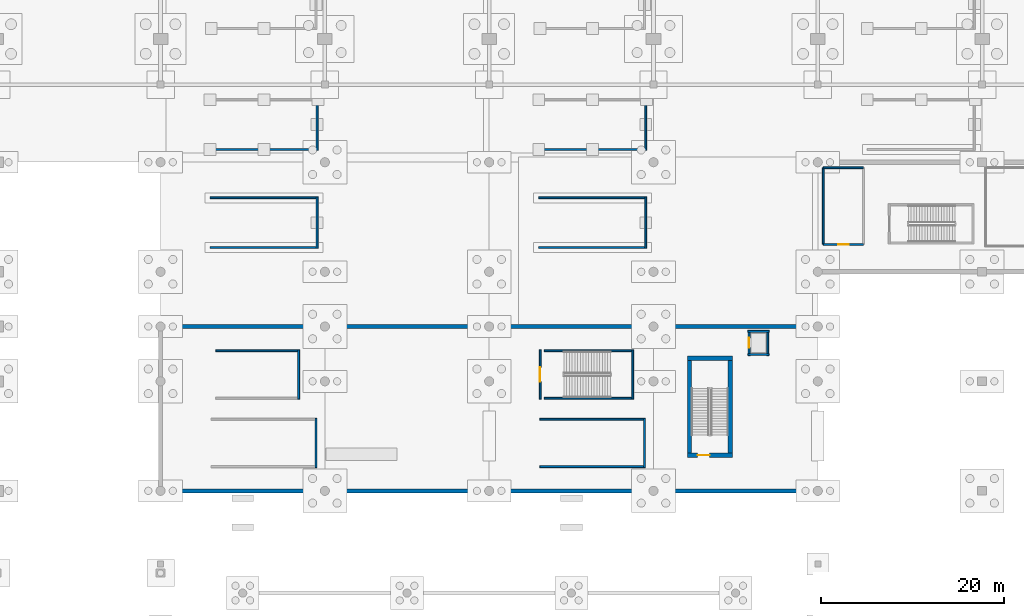
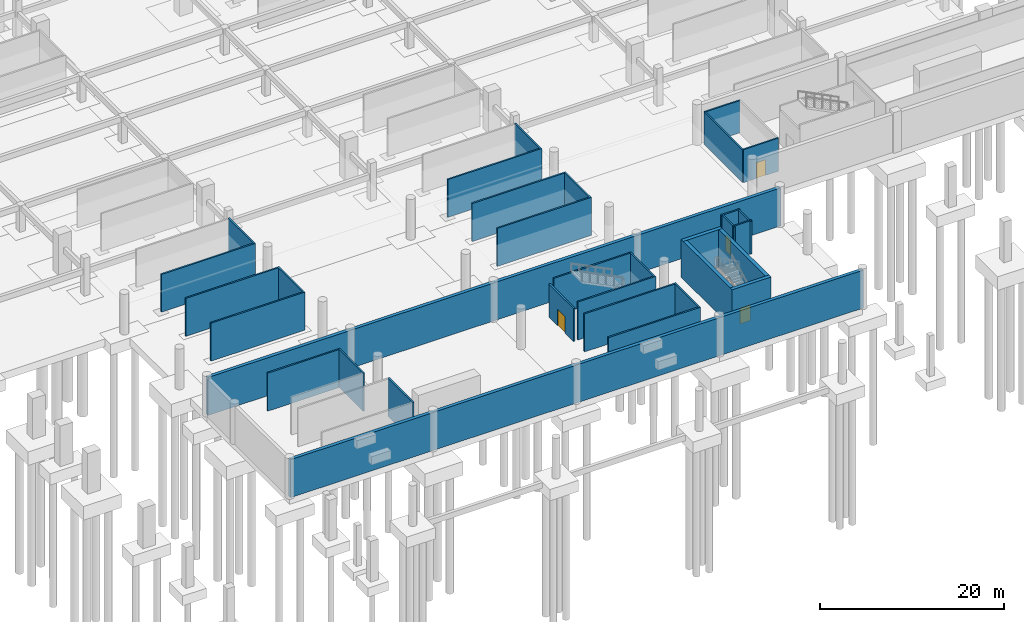
# One storey, part 12 of 26: 33 walls, 4 doors, 4 openings.
"""IFC4 building model written with IfcOpenShell, lengths in metres."""

import ifcopenshell
import ifcopenshell.guid

model = None  # the IFC model being written
_history = None  # IfcOwnerHistory: only IFC2X3 demands one
_inside = {}  # id of a spatial element -> (the spatial element, [elements in it])
_under = {}  # id of a project, library or spatial element -> (it, [spatial elements below it])
_declared = {}  # id of a project -> (the project, [libraries it declares])
_typed = {}  # id of a type object -> (the type object, [elements of that type])
_made_of = {}  # id of a material, layer set ... -> (it, [elements and type objects made of it])


def new_model(schema):
    """Start an empty IFC model of exactly this schema.

    Asked for "IFC4X3", IfcOpenShell would pick the latest addendum, in which some entities
    have other attributes; the version numbers below select the first issue.
    IFC2X3 requires an IfcOwnerHistory on every rooted entity: one is made here for all.
    """
    global model, _history
    if schema == "IFC4X3":
        model = ifcopenshell.file(schema_version=(4, 3, 0, 0))
    else:
        model = ifcopenshell.file(schema=schema)
    _inside.clear()
    _under.clear()
    _declared.clear()
    _typed.clear()
    _made_of.clear()
    _history = None
    if model.schema == "IFC2X3":
        org = make("IfcOrganization", Name="unknown")
        user = make(
            "IfcPersonAndOrganization",
            ThePerson=make("IfcPerson", FamilyName="unknown"),
            TheOrganization=org,
        )
        app = make(
            "IfcApplication",
            ApplicationDeveloper=org,
            Version="unknown",
            ApplicationFullName="unknown",
            ApplicationIdentifier="unknown",
        )
        _history = make(
            "IfcOwnerHistory",
            OwningUser=user,
            OwningApplication=app,
            ChangeAction="ADDED",
            CreationDate=0,
        )
    return model


def make(cls, **values):
    """One entity of the class cls with the attributes given. An attribute that is None is left unset."""
    return model.create_entity(
        cls, **{name: value for name, value in values.items() if value is not None}
    )


def rooted(cls, **values):
    """An entity with a GlobalId (a new one), such as an element, a storey or a relation."""
    return make(cls, GlobalId=ifcopenshell.guid.new(), OwnerHistory=_history, **values)


def si_unit(unit_type, name, prefix=None):
    """IfcSIUnit, for example si_unit("LENGTHUNIT", "METRE", prefix="MILLI")."""
    return make("IfcSIUnit", UnitType=unit_type, Prefix=prefix, Name=name)


def assignment(units):
    """IfcUnitAssignment: the units of a project."""
    return None if units is None else make("IfcUnitAssignment", Units=units)


def point(xyz):
    """IfcCartesianPoint."""
    return None if xyz is None else make("IfcCartesianPoint", Coordinates=xyz)


def direction(xyz):
    """IfcDirection."""
    return None if xyz is None else make("IfcDirection", DirectionRatios=xyz)


def frame(location, z_axis=None, x_axis=None):
    """IfcAxis2Placement3D, a coordinate frame: its origin and axes. An axis left out is left unset."""
    return make(
        "IfcAxis2Placement3D",
        Location=point(location),
        Axis=direction(z_axis),
        RefDirection=direction(x_axis),
    )


def frame_2d(location, x_axis=None):
    """IfcAxis2Placement2D, a coordinate frame in the plane: its origin and x axis."""
    return make(
        "IfcAxis2Placement2D", Location=point(location), RefDirection=direction(x_axis)
    )


def origin():
    """The frame at (0, 0, 0) with its axes left unset."""
    return frame((0.0, 0.0, 0.0))


def place(relative_to, where):
    """IfcLocalPlacement: puts the frame where relative to a parent placement (None: the world)."""
    return make(
        "IfcLocalPlacement", PlacementRelTo=relative_to, RelativePlacement=where
    )


def context(
    kind, dimensions, precision=None, world=None, true_north=None, identifier=None
):
    """IfcGeometricRepresentationContext, for example the 3D "Model" context."""
    return make(
        "IfcGeometricRepresentationContext",
        ContextIdentifier=identifier,
        ContextType=kind,
        CoordinateSpaceDimension=dimensions,
        Precision=precision,
        WorldCoordinateSystem=world,
        TrueNorth=true_north,
    )


def subcontext(parent, identifier, kind, view, scale=None):
    """IfcGeometricRepresentationSubContext, for example "Body" below "Model"."""
    return make(
        "IfcGeometricRepresentationSubContext",
        ContextIdentifier=identifier,
        ContextType=kind,
        ParentContext=parent,
        TargetScale=scale,
        TargetView=view,
    )


def project(units=None, contexts=None):
    """IfcProject with its units and contexts."""
    return rooted(
        "IfcProject",
        Name="project",
        RepresentationContexts=contexts,
        UnitsInContext=assignment(units),
    )


def spatial(cls, under=None, at=None, **own):
    """A site, building, storey or space (cls), placed at a placement, below another one or the project."""
    s = rooted(cls, ObjectPlacement=at, **own)
    if under is not None:
        _under.setdefault(under.id(), (under, []))[1].append(s)
    return s


def profile(cls, at=None, kind="AREA", **sizes):
    """A parametric profile (cls). Its sizes go by their IFC names, for example OverallWidth=200.0."""
    return make(cls, ProfileType=kind, Position=at, **sizes)


def rectangle(**sizes):
    """IfcRectangleProfileDef."""
    return profile("IfcRectangleProfileDef", **sizes)


def extrude(swept, where, along, depth):
    """IfcExtrudedAreaSolid: the profile swept, set in the frame where, extruded along a direction by depth."""
    return make(
        "IfcExtrudedAreaSolid",
        SweptArea=swept,
        Position=where,
        ExtrudedDirection=direction(along),
        Depth=depth,
    )


def shape(context_of_items, identifier, shape_type, items):
    """IfcShapeRepresentation: the items that make up one representation, for example the "Body"."""
    return make(
        "IfcShapeRepresentation",
        ContextOfItems=context_of_items,
        RepresentationIdentifier=identifier,
        RepresentationType=shape_type,
        Items=items,
    )


def material(Name=None, Category=None):
    """IfcMaterial."""
    return make("IfcMaterial", Name=Name, Category=Category)


def layer(
    of_material, thickness, ventilated=None, Name=None, Category=None, Priority=None
):
    """IfcMaterialLayer: one layer of a wall or slab, of a material (None: an air gap)."""
    return make(
        "IfcMaterialLayer",
        Material=of_material,
        LayerThickness=thickness,
        IsVentilated=ventilated,
        Name=Name,
        Category=Category,
        Priority=Priority,
    )


def layer_set(layers, Name=None):
    """IfcMaterialLayerSet."""
    return make("IfcMaterialLayerSet", MaterialLayers=layers, LayerSetName=Name)


def made_of(thing, what):
    """Note that an element or type object is made of a material, layer set ...; save() writes the relation."""
    if what is not None:
        _made_of.setdefault(what.id(), (what, []))[1].append(thing)
    return thing


def type_object(cls, material=None, **own):
    """A type object (cls), such as IfcWallType, which elements share."""
    return made_of(rooted(cls, **own), material)


def element(
    cls,
    number,
    at=None,
    inside=None,
    cuts=None,
    type_object=None,
    material=None,
    context=None,
    identifier="Body",
    shape_type=None,
    held_by="IfcProductDefinitionShape",
    body=None,
    shapes=None,
    **own,
):
    """One element of the class cls, such as IfcWall. Its Tag is "e" and its number.

    at: its placement. inside: the storey or other place that contains it. cuts: it is an
    opening in that element (IfcRelVoidsElement). A single representation is given by context,
    identifier, shape_type and body (its items); several are given by shapes. held_by: the class
    of the entity that holds the representations. save() writes the other relations.
    """
    e = rooted(cls, Tag="e%d" % number, ObjectPlacement=at, **own)
    if body is not None:
        shapes = [shape(context, identifier, shape_type, body)]
    if shapes is not None:
        e.Representation = make(held_by, Representations=shapes)
    if inside is not None:
        _inside.setdefault(inside.id(), (inside, []))[1].append(e)
    if cuts is not None:
        rooted(
            "IfcRelVoidsElement", RelatingBuildingElement=cuts, RelatedOpeningElement=e
        )
    if type_object is not None:
        _typed.setdefault(type_object.id(), (type_object, []))[1].append(e)
    return made_of(e, material)


def fill(opening, filler):
    """IfcRelFillsElement: the door or window that sits in an opening."""
    return rooted(
        "IfcRelFillsElement",
        RelatingOpeningElement=opening,
        RelatedBuildingElement=filler,
    )


def aggregate(whole, parts):
    """IfcRelAggregates: a whole, such as a stair, and the parts it consists of."""
    return rooted("IfcRelAggregates", RelatingObject=whole, RelatedObjects=parts)


def save(model, path):
    """Write the relations noted so far, then the file.

    IfcRelAggregates (storeys below a building ...), IfcRelContainedInSpatialStructure (elements
    in a storey), IfcRelDefinesByType, IfcRelAssociatesMaterial and IfcRelDeclares: one each for
    every whole, place, type object, material and project.
    """
    for whole, parts in _under.values():
        aggregate(whole, parts)
    for where, things in _inside.values():
        rooted(
            "IfcRelContainedInSpatialStructure",
            RelatedElements=things,
            RelatingStructure=where,
        )
    for kind, things in _typed.values():
        rooted("IfcRelDefinesByType", RelatedObjects=things, RelatingType=kind)
    for what, things in _made_of.values():
        rooted("IfcRelAssociatesMaterial", RelatedObjects=things, RelatingMaterial=what)
    for by, libraries in _declared.values():
        rooted("IfcRelDeclares", RelatingContext=by, RelatedDefinitions=libraries)
    model.write(path)


model = new_model("IFC4")

# Units and contexts
model_context = context("Model", 3, precision=1e-05, world=origin(), true_north=direction((0.0, 1.0)))
body_context = subcontext(model_context, "Body", "Model", "MODEL_VIEW")
ifc_project = project(units=[si_unit("LENGTHUNIT", "METRE"), si_unit("AREAUNIT", "SQUARE_METRE"), si_unit("VOLUMEUNIT", "CUBIC_METRE"), si_unit("PLANEANGLEUNIT", "RADIAN"), si_unit("MASSUNIT", "GRAM", prefix="KILO")], contexts=[model_context])

# Site, building, storey
site_placement = place(None, origin())
site = spatial("IfcSite", under=ifc_project, at=site_placement, CompositionType="ELEMENT")
building_placement = place(site_placement, origin())
building = spatial("IfcBuilding", under=site, at=building_placement, Name="Chuanluo Vaults Station", CompositionType="ELEMENT")
storey_placement = place(building_placement, frame((0.0, 0.0, -5.39990234375)))
storey = spatial("IfcBuildingStorey", under=building, at=storey_placement, Name="B1", CompositionType="ELEMENT", Elevation=-5.39990234375)

# Walls
ifc_material_1 = material(Name="Concrete C50", Category="concrete")
ifc_layer_1 = layer(ifc_material_1, 0.449951171875)
ifc_layer_set_1 = layer_set([ifc_layer_1], Name="Concrete C50")
wall_type_1 = type_object("IfcWallType", Name="WL-COR-450", PredefinedType="SHEAR", material=ifc_layer_set_1)
for number, where, z_axis, x_axis, name in (
    (1, (80.41259765625, 21.675048828125, 0.0), (0.0, 0.0, 1.0), (0.0, 1.0, 0.0), "Core K6 left shear wall"),
    (2, (75.96240234375, 32.75, 0.0), (0.0, 0.0, 1.0), (0.0, -1.0, 0.0), "Core K6 right shear wall"),
):
    element("IfcWall", number, at=place(storey_placement, frame(where, z_axis=z_axis, x_axis=x_axis)), inside=storey, type_object=wall_type_1, Name=name, PredefinedType="SHEAR", context=body_context, shape_type="SweptSolid", body=[
        extrude(rectangle(XDim=11.074951171875, YDim=0.449951171875, at=frame_2d((5.53759765625, 0.0))), origin(), (0.0, 0.0, 1.0), 5.0498046875),
    ])
wall_1_placement = place(storey_placement, frame((80.637451171875, 32.52490234375, 0.0), z_axis=(0.0, 0.0, 1.0), x_axis=(-1.0, 0.0, 0.0)))
element("IfcWall", 3, at=wall_1_placement, inside=storey, type_object=wall_type_1, Name="Core K6 far shear wall", PredefinedType="SHEAR", context=body_context, shape_type="SweptSolid", body=[
    extrude(rectangle(XDim=4.89990234375, YDim=0.449951171875, at=frame_2d((2.449951171875, 0.0))), origin(), (0.0, 0.0, 1.0), 5.0498046875),
])

# Wall, opening, door
wall_2_placement = place(storey_placement, frame((75.737548828125, 21.89990234375, 0.0), z_axis=(0.0, 0.0, 1.0), x_axis=(1.0, 0.0, 0.0)))
wall_2 = element("IfcWall", 4, at=wall_2_placement, inside=storey, type_object=wall_type_1, Name="Core K6 near shear wall", PredefinedType="SHEAR", context=body_context, shape_type="SweptSolid", body=[
    extrude(rectangle(XDim=4.89990234375, YDim=0.449951171875, at=frame_2d((2.449951171875, 0.0))), origin(), (0.0, 0.0, 1.0), 5.0498046875),
])
opening_1_placement = place(wall_2_placement, frame((1.10009765625, 0.0, 0.0)))
opening_1 = element("IfcOpeningElement", 5, at=opening_1_placement, cuts=wall_2, Name="Opening FD-05", PredefinedType="OPENING", context=body_context, shape_type="SweptSolid", body=[
    extrude(rectangle(XDim=1.300048828125, YDim=2.10009765625, at=frame_2d((0.64990234375, 1.050048828125))), frame((0.0, 0.2351, 0.0), z_axis=(0.0, -1.0, 0.0), x_axis=(1.0, 0.0, 0.0)), (0.0, 0.0, 1.0), 0.46995),
])
ifc_material_2 = material(Name="Fire-rated steel leaf", Category="steel")
door_type_1 = type_object("IfcDoorType", Name="DR-FIR-1300x2100", OperationType="NOTDEFINED", PredefinedType="DOOR", material=ifc_material_2)
door_1_placement = place(opening_1_placement, origin())
door_1 = element("IfcDoor", 6, at=door_1_placement, inside=storey, type_object=door_type_1, Name="D-089 Stair ST-06 fire door", OperationType="SINGLE_SWING_RIGHT", OverallHeight=2.10009765625, OverallWidth=1.300048828125, PredefinedType="DOOR", context=body_context, shape_type="SweptSolid", body=[
    extrude(rectangle(XDim=1.300048828125, YDim=2.10009765625, at=frame_2d((0.64990234375, 1.050048828125))), frame((0.0, 0.02490234375, 0.0), z_axis=(0.0, -1.0, 0.0), x_axis=(1.0, 0.0, 0.0)), (0.0, 0.0, 1.0), 0.050048828125),
])
fill(opening_1, door_1)

ifc_material_3 = material(Name="Autoclaved aerated concrete blockwork MU10", Category="masonry")
ifc_layer_2 = layer(ifc_material_3, 0.18994140625)
ifc_layer_set_2 = layer_set([ifc_layer_2], Name="Autoclaved aerated concrete blockwork MU10")
wall_type_2 = type_object("IfcWallType", Name="WL-PRT-190", PredefinedType="PARTITIONING", material=ifc_layer_set_2)
wall_3_placement = place(storey_placement, frame((95.0, 45.0, 0.0), z_axis=(0.0, 0.0, 1.0), x_axis=(-1.0, 0.0, 0.0)))
wall_3 = element("IfcWall", 7, at=wall_3_placement, inside=storey, type_object=wall_type_2, Name="B1-04B Metro Faregate Control Room S partition", PredefinedType="PARTITIONING", context=body_context, shape_type="SweptSolid", body=[
    extrude(rectangle(XDim=4.39990234375, YDim=0.18994140625, at=frame_2d((2.199951171875, 0.0))), origin(), (0.0, 0.0, 1.0), 4.39990234375),
])
opening_2_placement = place(wall_3_placement, frame((1.625, 0.0, 0.0)))
opening_2 = element("IfcOpeningElement", 8, at=opening_2_placement, cuts=wall_3, Name="Opening D-I06", PredefinedType="OPENING", context=body_context, shape_type="SweptSolid", body=[
    extrude(rectangle(XDim=1.14990234375, YDim=2.10009765625, at=frame_2d((0.574951171875, 1.050048828125))), frame((0.0, 0.10497, 0.0), z_axis=(0.0, -1.0, 0.0), x_axis=(1.0, 0.0, 0.0)), (0.0, 0.0, 1.0), 0.20994),
])
ifc_material_4 = material(Name="Anodised aluminium 6063-T6", Category="aluminium")
door_type_2 = type_object("IfcDoorType", Name="DR-INT-1150x2100", OperationType="NOTDEFINED", PredefinedType="DOOR", material=ifc_material_4)
door_2_placement = place(opening_2_placement, origin())
door_2 = element("IfcDoor", 9, at=door_2_placement, inside=storey, type_object=door_type_2, Name="D-132 Metro Faregate Control Room door", OperationType="SINGLE_SWING_LEFT", OverallHeight=2.10009765625, OverallWidth=1.14990234375, PredefinedType="DOOR", context=body_context, shape_type="SweptSolid", body=[
    extrude(rectangle(XDim=1.14990234375, YDim=2.10009765625, at=frame_2d((0.574951171875, 1.050048828125))), frame((0.0, 0.02490234375, 0.0), z_axis=(0.0, -1.0, 0.0), x_axis=(1.0, 0.0, 0.0)), (0.0, 0.0, 1.0), 0.050048828125),
])
fill(opening_2, door_2)

# Walls
wall_4_placement = place(storey_placement, frame((90.60009765625, 53.39990234375, 0.0), z_axis=(0.0, 0.0, 1.0), x_axis=(1.0, 0.0, 0.0)))
element("IfcWall", 10, at=wall_4_placement, inside=storey, type_object=wall_type_2, Name="B1-04B Metro Faregate Control Room N partition", PredefinedType="PARTITIONING", context=body_context, shape_type="SweptSolid", body=[
    extrude(rectangle(XDim=4.39990234375, YDim=0.18994140625, at=frame_2d((2.199951171875, 0.0))), origin(), (0.0, 0.0, 1.0), 4.294921875),
])
wall_5_placement = place(storey_placement, frame((90.60009765625, 45.0, 0.0), z_axis=(0.0, 0.0, 1.0), x_axis=(0.0, 1.0, 0.0)))
element("IfcWall", 11, at=wall_5_placement, inside=storey, type_object=wall_type_2, Name="B1-04B Metro Faregate Control Room W partition", PredefinedType="PARTITIONING", context=body_context, shape_type="SweptSolid", body=[
    extrude(rectangle(XDim=8.39990234375, YDim=0.18994140625, at=frame_2d((4.199951171875, 0.0))), origin(), (0.0, 0.0, 1.0), 4.294921875),
])
ifc_material_5 = material(Name="Concrete C40", Category="concrete")
ifc_layer_3 = layer(ifc_material_5, 0.419921875)
ifc_layer_set_3 = layer_set([ifc_layer_3], Name="Concrete C40")
wall_type_3 = type_object("IfcWallType", Name="WL-RET-420", PredefinedType="USERDEFINED", material=ifc_layer_set_3)
for number, where, z_axis, x_axis, name in (
    (12, (18.0, 18.0, 0.0), (0.0, 0.0, 1.0), (1.0, 0.0, 0.0), "Basement perimeter retaining wall 09"),
    (13, (90.0, 36.0, 0.0), (0.0, 0.0, 1.0), (-1.0, 0.0, 0.0), "Basement perimeter retaining wall 10"),
):
    element("IfcWall", number, at=place(storey_placement, frame(where, z_axis=z_axis, x_axis=x_axis)), inside=storey, type_object=wall_type_3, Name=name, ObjectType="RETAININGWALL", PredefinedType="USERDEFINED", context=body_context, shape_type="SweptSolid", body=[
        extrude(rectangle(XDim=72.0, YDim=0.419921875, at=frame_2d((36.0, 0.0))), origin(), (0.0, 0.0, 1.0), 5.0498046875),
    ])
ifc_material_6 = material(Name="Concrete C40", Category="concrete")
ifc_layer_4 = layer(ifc_material_6, 0.199951171875)
ifc_layer_set_4 = layer_set([ifc_layer_4], Name="Concrete C40")
wall_type_4 = type_object("IfcWallType", Name="WL-SHF-200", PredefinedType="SOLIDWALL", material=ifc_layer_set_4)
wall_6_placement = place(storey_placement, frame((23.425048828125, 55.39990234375, 0.0), z_axis=(0.0, 0.0, 1.0), x_axis=(1.0, 0.0, 0.0)))
element("IfcWall", 14, at=wall_6_placement, inside=storey, type_object=wall_type_4, Name="Stair ST-07 south shaft wall B1", PredefinedType="SOLIDWALL", context=body_context, shape_type="SweptSolid", body=[
    extrude(rectangle(XDim=11.824951171875, YDim=0.199951171875, at=frame_2d((5.91259765625, 0.0))), origin(), (0.0, 0.0, 1.0), 5.02001953125),
])
wall_7_placement = place(storey_placement, frame((35.14990234375, 55.300048828125, 0.0), z_axis=(0.0, 0.0, 1.0), x_axis=(0.0, 1.0, 0.0)))
element("IfcWall", 15, at=wall_7_placement, inside=storey, type_object=wall_type_4, Name="Stair ST-07 far shaft wall B1", PredefinedType="SOLIDWALL", context=body_context, shape_type="SweptSolid", body=[
    extrude(rectangle(XDim=5.64990234375, YDim=0.199951171875, at=frame_2d((2.824951171875, 0.0))), origin(), (0.0, 0.0, 1.0), 5.02001953125),
])
wall_8_placement = place(storey_placement, frame((59.425048828125, 55.39990234375, 0.0), z_axis=(0.0, 0.0, 1.0), x_axis=(1.0, 0.0, 0.0)))
element("IfcWall", 16, at=wall_8_placement, inside=storey, type_object=wall_type_4, Name="Stair ST-08 south shaft wall B1", PredefinedType="SOLIDWALL", context=body_context, shape_type="SweptSolid", body=[
    extrude(rectangle(XDim=11.824951171875, YDim=0.199951171875, at=frame_2d((5.91259765625, 0.0))), origin(), (0.0, 0.0, 1.0), 5.02001953125),
])
wall_9_placement = place(storey_placement, frame((71.14990234375, 55.300048828125, 0.0), z_axis=(0.0, 0.0, 1.0), x_axis=(0.0, 1.0, 0.0)))
element("IfcWall", 17, at=wall_9_placement, inside=storey, type_object=wall_type_4, Name="Stair ST-08 far shaft wall B1", PredefinedType="SOLIDWALL", context=body_context, shape_type="SweptSolid", body=[
    extrude(rectangle(XDim=5.64990234375, YDim=0.199951171875, at=frame_2d((2.824951171875, 0.0))), origin(), (0.0, 0.0, 1.0), 5.02001953125),
])
wall_10_placement = place(storey_placement, frame((35.02490234375, 20.550048828125, 0.0), z_axis=(0.0, 0.0, 1.0), x_axis=(0.0, 1.0, 0.0)))
element("IfcWall", 18, at=wall_10_placement, inside=storey, type_object=wall_type_4, Name="Stair ST-18 far shaft wall B1", PredefinedType="SOLIDWALL", context=body_context, shape_type="SweptSolid", body=[
    extrude(rectangle(XDim=5.39990234375, YDim=0.199951171875, at=frame_2d((2.699951171875, 0.0))), origin(), (0.0, 0.0, 1.0), 5.0498046875),
])
for number, where, z_axis, x_axis, name in (
    (19, (59.550048828125, 20.64990234375, 0.0), (0.0, 0.0, 1.0), (1.0, 0.0, 0.0), "Stair ST-19 south shaft wall B1"),
    (20, (71.125, 25.85009765625, 0.0), (0.0, 0.0, 1.0), (-1.0, 0.0, 0.0), "Stair ST-19 north shaft wall B1"),
):
    element("IfcWall", number, at=place(storey_placement, frame(where, z_axis=z_axis, x_axis=x_axis)), inside=storey, type_object=wall_type_4, Name=name, PredefinedType="SOLIDWALL", context=body_context, shape_type="SweptSolid", body=[
        extrude(rectangle(XDim=11.574951171875, YDim=0.199951171875, at=frame_2d((5.78759765625, 0.0))), origin(), (0.0, 0.0, 1.0), 5.0498046875),
    ])
wall_11_placement = place(storey_placement, frame((71.02490234375, 20.550048828125, 0.0), z_axis=(0.0, 0.0, 1.0), x_axis=(0.0, 1.0, 0.0)))
element("IfcWall", 21, at=wall_11_placement, inside=storey, type_object=wall_type_4, Name="Stair ST-19 far shaft wall B1", PredefinedType="SOLIDWALL", context=body_context, shape_type="SweptSolid", body=[
    extrude(rectangle(XDim=5.39990234375, YDim=0.199951171875, at=frame_2d((2.699951171875, 0.0))), origin(), (0.0, 0.0, 1.0), 5.0498046875),
])
for number, where, z_axis, x_axis, name in (
    (22, (23.425048828125, 44.64990234375, 0.0), (0.0, 0.0, 1.0), (1.0, 0.0, 0.0), "Stair ST-20 south shaft wall B1"),
    (23, (35.25, 50.10009765625, 0.0), (0.0, 0.0, 1.0), (-1.0, 0.0, 0.0), "Stair ST-20 north shaft wall B1"),
):
    element("IfcWall", number, at=place(storey_placement, frame(where, z_axis=z_axis, x_axis=x_axis)), inside=storey, type_object=wall_type_4, Name=name, PredefinedType="SOLIDWALL", context=body_context, shape_type="SweptSolid", body=[
        extrude(rectangle(XDim=11.824951171875, YDim=0.199951171875, at=frame_2d((5.91259765625, 0.0))), origin(), (0.0, 0.0, 1.0), 5.0498046875),
    ])
wall_12_placement = place(storey_placement, frame((35.14990234375, 44.550048828125, 0.0), z_axis=(0.0, 0.0, 1.0), x_axis=(0.0, 1.0, 0.0)))
element("IfcWall", 24, at=wall_12_placement, inside=storey, type_object=wall_type_4, Name="Stair ST-20 far shaft wall B1", PredefinedType="SOLIDWALL", context=body_context, shape_type="SweptSolid", body=[
    extrude(rectangle(XDim=5.64990234375, YDim=0.199951171875, at=frame_2d((2.824951171875, 0.0))), origin(), (0.0, 0.0, 1.0), 5.0498046875),
])
for number, where, z_axis, x_axis, name in (
    (25, (59.425048828125, 44.64990234375, 0.0), (0.0, 0.0, 1.0), (1.0, 0.0, 0.0), "Stair ST-21 south shaft wall B1"),
    (26, (71.25, 50.10009765625, 0.0), (0.0, 0.0, 1.0), (-1.0, 0.0, 0.0), "Stair ST-21 north shaft wall B1"),
):
    element("IfcWall", number, at=place(storey_placement, frame(where, z_axis=z_axis, x_axis=x_axis)), inside=storey, type_object=wall_type_4, Name=name, PredefinedType="SOLIDWALL", context=body_context, shape_type="SweptSolid", body=[
        extrude(rectangle(XDim=11.824951171875, YDim=0.199951171875, at=frame_2d((5.91259765625, 0.0))), origin(), (0.0, 0.0, 1.0), 5.0498046875),
    ])
wall_13_placement = place(storey_placement, frame((71.14990234375, 44.550048828125, 0.0), z_axis=(0.0, 0.0, 1.0), x_axis=(0.0, 1.0, 0.0)))
element("IfcWall", 27, at=wall_13_placement, inside=storey, type_object=wall_type_4, Name="Stair ST-21 far shaft wall B1", PredefinedType="SOLIDWALL", context=body_context, shape_type="SweptSolid", body=[
    extrude(rectangle(XDim=5.64990234375, YDim=0.199951171875, at=frame_2d((2.824951171875, 0.0))), origin(), (0.0, 0.0, 1.0), 5.0498046875),
])
wall_14_placement = place(storey_placement, frame((33.22509765625, 33.35009765625, 0.0), z_axis=(0.0, 0.0, 1.0), x_axis=(-1.0, 0.0, 0.0)))
element("IfcWall", 28, at=wall_14_placement, inside=storey, type_object=wall_type_4, Name="Stair ST-22 north shaft wall B1", PredefinedType="SOLIDWALL", context=body_context, shape_type="SweptSolid", body=[
    extrude(rectangle(XDim=9.175048828125, YDim=0.199951171875, at=frame_2d((4.58740234375, 0.0))), origin(), (0.0, 0.0, 1.0), 5.0498046875),
])
wall_15_placement = place(storey_placement, frame((33.125, 28.050048828125, 0.0), z_axis=(0.0, 0.0, 1.0), x_axis=(0.0, 1.0, 0.0)))
element("IfcWall", 29, at=wall_15_placement, inside=storey, type_object=wall_type_4, Name="Stair ST-22 far shaft wall B1", PredefinedType="SOLIDWALL", context=body_context, shape_type="SweptSolid", body=[
    extrude(rectangle(XDim=5.39990234375, YDim=0.199951171875, at=frame_2d((2.699951171875, 0.0))), origin(), (0.0, 0.0, 1.0), 5.0498046875),
])
for number, where, z_axis, x_axis, name in (
    (30, (60.050048828125, 28.14990234375, 0.0), (0.0, 0.0, 1.0), (1.0, 0.0, 0.0), "Stair ST-23 south shaft wall B1"),
    (31, (69.824951171875, 33.35009765625, 0.0), (0.0, 0.0, 1.0), (-1.0, 0.0, 0.0), "Stair ST-23 north shaft wall B1"),
):
    element("IfcWall", number, at=place(storey_placement, frame(where, z_axis=z_axis, x_axis=x_axis)), inside=storey, type_object=wall_type_4, Name=name, PredefinedType="SOLIDWALL", context=body_context, shape_type="SweptSolid", body=[
        extrude(rectangle(XDim=9.77490234375, YDim=0.199951171875, at=frame_2d((4.887451171875, 0.0))), origin(), (0.0, 0.0, 1.0), 5.0498046875),
    ])
wall_16_placement = place(storey_placement, frame((69.72509765625, 28.050048828125, 0.0), z_axis=(0.0, 0.0, 1.0), x_axis=(0.0, 1.0, 0.0)))
element("IfcWall", 32, at=wall_16_placement, inside=storey, type_object=wall_type_4, Name="Stair ST-23 far shaft wall B1", PredefinedType="SOLIDWALL", context=body_context, shape_type="SweptSolid", body=[
    extrude(rectangle(XDim=5.39990234375, YDim=0.199951171875, at=frame_2d((2.699951171875, 0.0))), origin(), (0.0, 0.0, 1.0), 5.0498046875),
])

# Wall, opening, door
wall_17_placement = place(storey_placement, frame((59.58740234375, 33.449951171875, 0.0), z_axis=(0.0, 0.0, 1.0), x_axis=(0.0, -1.0, 0.0)))
wall_17 = element("IfcWall", 33, at=wall_17_placement, inside=storey, type_object=wall_type_4, Name="Stair ST-24 vestibule wall B1", PredefinedType="SOLIDWALL", context=body_context, shape_type="SweptSolid", body=[
    extrude(rectangle(XDim=5.39990234375, YDim=0.199951171875, at=frame_2d((2.699951171875, 0.0))), origin(), (0.0, 0.0, 1.0), 4.39990234375),
])
opening_3_placement = place(wall_17_placement, frame((1.89990234375, 0.0, 0.0)))
opening_3 = element("IfcOpeningElement", 34, at=opening_3_placement, cuts=wall_17, Name="Opening FD-02", PredefinedType="OPENING", context=body_context, shape_type="SweptSolid", body=[
    extrude(rectangle(XDim=1.60009765625, YDim=2.14990234375, at=frame_2d((0.800048828125, 1.074951171875))), frame((0.0, 0.1101, 0.0), z_axis=(0.0, -1.0, 0.0), x_axis=(1.0, 0.0, 0.0)), (0.0, 0.0, 1.0), 0.21995),
])
ifc_material_7 = material(Name="Fire-rated steel leaf", Category="steel")
door_type_3 = type_object("IfcDoorType", Name="DR-FIR-1600x2150", OperationType="NOTDEFINED", PredefinedType="DOOR", material=ifc_material_7)
door_3_placement = place(opening_3_placement, origin())
door_3 = element("IfcDoor", 35, at=door_3_placement, inside=storey, type_object=door_type_3, Name="D-127 Stair ST-24 fire door B1", OperationType="SINGLE_SWING_RIGHT", OverallHeight=2.14990234375, OverallWidth=1.60009765625, PredefinedType="DOOR", context=body_context, shape_type="SweptSolid", body=[
    extrude(rectangle(XDim=1.60009765625, YDim=2.14990234375, at=frame_2d((0.800048828125, 1.074951171875))), frame((0.0, 0.02490234375, 0.0), z_axis=(0.0, -1.0, 0.0), x_axis=(1.0, 0.0, 0.0)), (0.0, 0.0, 1.0), 0.050048828125),
])
fill(opening_3, door_3)

# Walls
wall_18_placement = place(storey_placement, frame((82.330078125, 32.929931640625, 0.0), z_axis=(0.0, 0.0, 1.0), x_axis=(1.0, 0.0, 0.0)))
element("IfcWall", 36, at=wall_18_placement, inside=storey, type_object=wall_type_4, Name="Lift EL-01 shaft wall B1 -Y", PredefinedType="SOLIDWALL", context=body_context, shape_type="SweptSolid", body=[
    extrude(rectangle(XDim=2.33984375, YDim=0.199951171875, at=frame_2d((1.169921875, 0.0))), origin(), (0.0, 0.0, 1.0), 4.39990234375),
])
wall_19_placement = place(storey_placement, frame((84.669921875, 35.469970703125, 0.0), z_axis=(0.0, 0.0, 1.0), x_axis=(-1.0, 0.0, 0.0)))
element("IfcWall", 37, at=wall_19_placement, inside=storey, type_object=wall_type_4, Name="Lift EL-01 shaft wall B1 +Y", PredefinedType="SOLIDWALL", context=body_context, shape_type="SweptSolid", body=[
    extrude(rectangle(XDim=2.33984375, YDim=0.199951171875, at=frame_2d((1.169921875, 0.0))), origin(), (0.0, 0.0, 1.0), 4.324951171875),
])

# Wall, opening, door
wall_20_placement = place(storey_placement, frame((82.47998046875, 35.6201171875, 0.0), z_axis=(0.0, 0.0, 1.0), x_axis=(0.0, -1.0, 0.0)))
wall_20 = element("IfcWall", 38, at=wall_20_placement, inside=storey, type_object=wall_type_4, Name="Lift EL-01 shaft wall B1 -X", PredefinedType="SOLIDWALL", context=body_context, shape_type="SweptSolid", body=[
    extrude(rectangle(XDim=2.840087890625, YDim=0.199951171875, at=frame_2d((1.419921875, 0.0))), origin(), (0.0, 0.0, 1.0), 4.324951171875),
])
opening_4_placement = place(wall_20_placement, frame((0.8701171875, 0.0, 0.0)))
opening_4 = element("IfcOpeningElement", 39, at=opening_4_placement, cuts=wall_20, Name="Opening LD-01", PredefinedType="OPENING", context=body_context, shape_type="SweptSolid", body=[
    extrude(rectangle(XDim=1.10009765625, YDim=2.14990234375, at=frame_2d((0.550048828125, 1.074951171875))), frame((0.0, 0.1101, 0.0), z_axis=(0.0, -1.0, 0.0), x_axis=(1.0, 0.0, 0.0)), (0.0, 0.0, 1.0), 0.21995),
])
ifc_material_8 = material(Name="Brushed stainless steel 304", Category="steel")
door_type_4 = type_object("IfcDoorType", Name="DR-LFT-1100x2150", OperationType="SLIDING_TO_LEFT", PredefinedType="DOOR", material=ifc_material_8)
door_4_placement = place(opening_4_placement, origin())
door_4 = element("IfcDoor", 40, at=door_4_placement, inside=storey, type_object=door_type_4, Name="LD-EL-01-01 Lift EL-01 sliding landing door B1", OperationType="SLIDING_TO_LEFT", OverallHeight=2.14990234375, OverallWidth=1.10009765625, PredefinedType="DOOR", context=body_context, shape_type="SweptSolid", body=[
    extrude(rectangle(XDim=1.10009765625, YDim=2.14990234375, at=frame_2d((0.550048828125, 1.074951171875))), frame((0.0, 0.02490234375, 0.0), z_axis=(0.0, -1.0, 0.0), x_axis=(1.0, 0.0, 0.0)), (0.0, 0.0, 1.0), 0.050048828125),
])
fill(opening_4, door_4)

# Wall
wall_21_placement = place(storey_placement, frame((84.52001953125, 32.780029296875, 0.0), z_axis=(0.0, 0.0, 1.0), x_axis=(0.0, 1.0, 0.0)))
element("IfcWall", 41, at=wall_21_placement, inside=storey, type_object=wall_type_4, Name="Lift EL-01 shaft wall B1 +X", PredefinedType="SOLIDWALL", context=body_context, shape_type="SweptSolid", body=[
    extrude(rectangle(XDim=2.840087890625, YDim=0.199951171875, at=frame_2d((1.419921875, 0.0))), origin(), (0.0, 0.0, 1.0), 4.324951171875),
])

save(model, "model.ifc")
